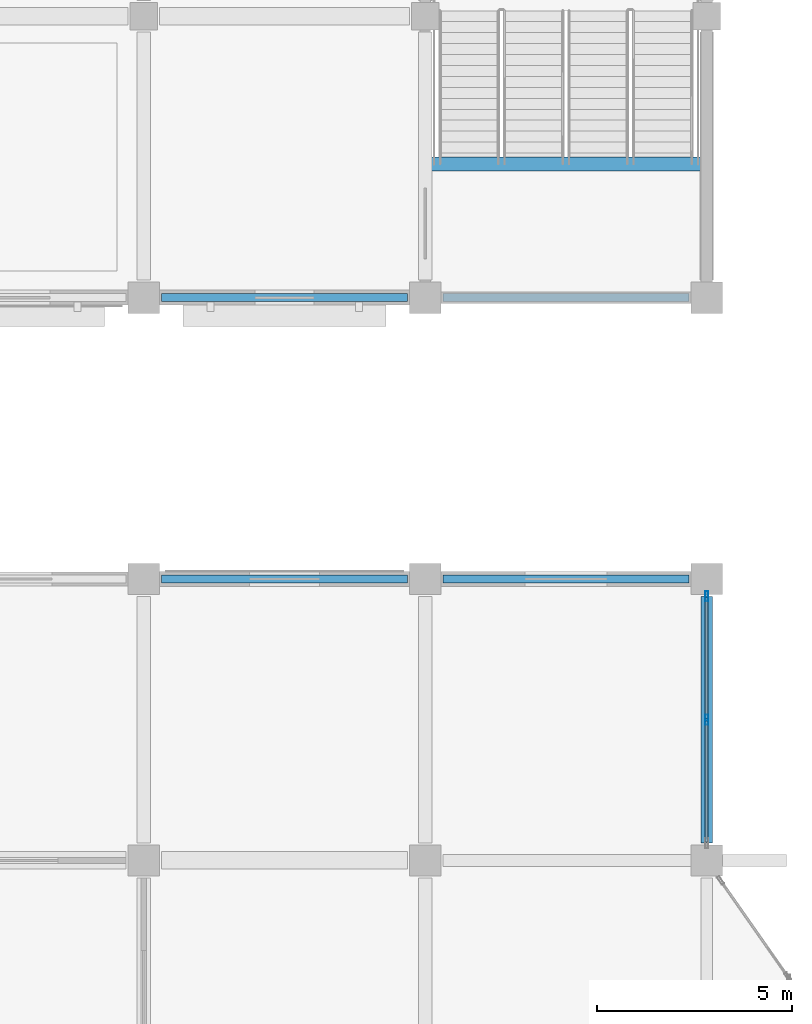
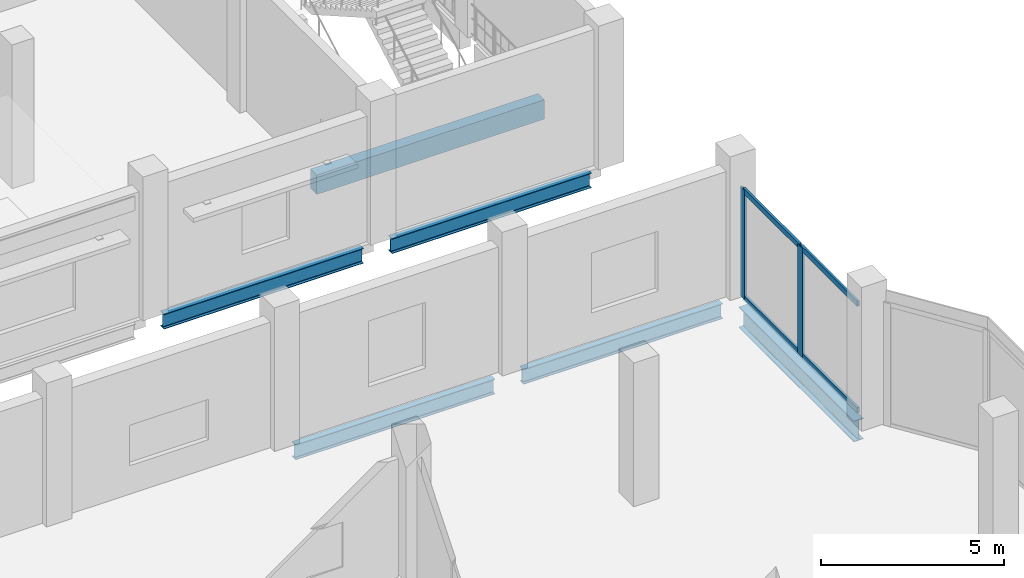
# One storey, part 50 of 99: 6 beams, 6 members, 1 element without a shape of its own.
"""IFC4 building model written with IfcOpenShell, lengths in metres."""

from ifc_helpers import new_model, si_unit, direction, frame, origin, origin_2d, place, context, subcontext, project, spatial, rectangle, hollow_rectangle, i_section, extrude, material, material_profile, profile_set, type_object, element, aggregate, save


model = new_model("IFC4")

# Units and contexts
model_context = context("Model", 3, precision=1e-05, world=origin(), true_north=direction((0.0, 1.0)))
body_context = subcontext(model_context, "Body", "Model", "MODEL_VIEW")
ifc_project = project(units=[si_unit("LENGTHUNIT", "METRE"), si_unit("AREAUNIT", "SQUARE_METRE"), si_unit("VOLUMEUNIT", "CUBIC_METRE"), si_unit("PLANEANGLEUNIT", "RADIAN"), si_unit("MASSUNIT", "GRAM", prefix="KILO")], contexts=[model_context])

# Site, building, storey
site_placement = place(None, origin())
site = spatial("IfcSite", under=ifc_project, at=site_placement, CompositionType="ELEMENT")
building_placement = place(site_placement, origin())
building = spatial("IfcBuilding", under=site, at=building_placement, Name="Vesperath Aquatics Centre", CompositionType="ELEMENT")
storey_placement = place(building_placement, frame((0.0, 0.0, 5.39990234375)))
storey = spatial("IfcBuildingStorey", under=building, at=storey_placement, Name="L01", CompositionType="ELEMENT", Elevation=5.39990234375)

# Beams
ifc_material_1 = material(Name="Concrete C35", Category="concrete")
ifc_material_profile_1 = material_profile(ifc_material_1, rectangle(XDim=0.35009765625, YDim=0.64990234375, at=origin_2d()), Name="RC 350x650")
ifc_profile_set_1 = profile_set([ifc_material_profile_1], Name="Concrete C35")
beam_type_1 = type_object("IfcBeamType", Name="BM-G05", PredefinedType="BEAM", material=ifc_profile_set_1)
beam_1_placement = place(storey_placement, frame((165.60009765625, 53.820068359375, -0.324951171875), z_axis=(1.0, 0.0, 0.0), x_axis=(0.0, 1.0, 0.0)))
element("IfcBeam", 1, at=beam_1_placement, inside=storey, type_object=beam_type_1, Name="Stair ST12 Landing Trimmer Beam B05 L01", PredefinedType="BEAM", context=body_context, shape_type="SweptSolid", body=[
    extrude(rectangle(XDim=0.35009765625, YDim=0.64990234375, at=origin_2d()), origin(), (0.0, 0.0, 1.0), 7.199951171875),
])
ifc_material_2 = material(Name="Steel Q355C", Category="steel")
ifc_material_profile_2 = material_profile(ifc_material_2, i_section(OverallWidth=0.300048828125, OverallDepth=0.699951171875, WebThickness=0.012939453125, FlangeThickness=0.02392578125, FilletRadius=0.028076171875, at=origin_2d()), Name="HN 700x300x13x24")
ifc_profile_set_2 = profile_set([ifc_material_profile_2], Name="Steel Q355C")
beam_type_2 = type_object("IfcBeamType", Name="BM-G08", PredefinedType="BEAM", material=ifc_profile_set_2)
beam_2_placement = place(storey_placement, frame((172.800048828125, 36.449951171875, -0.60986328125), z_axis=(0.0, 1.0, 0.0), x_axis=(-1.0, 0.0, 0.0)))
element("IfcBeam", 2, at=beam_2_placement, inside=storey, type_object=beam_type_2, Name="Floor Girder B08 L01 25 F-G", PredefinedType="BEAM", context=body_context, shape_type="SweptSolid", body=[
    extrude(i_section(OverallWidth=0.300048828125, OverallDepth=0.699951171875, WebThickness=0.012939453125, FlangeThickness=0.02392578125, FilletRadius=0.028076171875, at=origin_2d()), origin(), (0.0, 0.0, 1.0), 6.300048828125),
])
ifc_material_3 = material(Name="Steel Q355D", Category="steel")
ifc_material_profile_3 = material_profile(ifc_material_3, i_section(OverallWidth=0.199951171875, OverallDepth=0.5, WebThickness=0.010009765625, FlangeThickness=0.01611328125, FilletRadius=0.02001953125, at=origin_2d()), Name="HN 500x200x10x16")
ifc_profile_set_3 = profile_set([ifc_material_profile_3], Name="Steel Q355D")
beam_type_3 = type_object("IfcBeamType", Name="BM-SP01", PredefinedType="SPANDREL", material=ifc_profile_set_3)
for number, where, z_axis, x_axis, name in (
    (3, (158.85009765625, 43.199951171875, -0.510009765625), (1.0, 0.0, 0.0), (0.0, 1.0, 0.0), "Floor Girder SP01 L01 G 23-24"),
    (4, (158.85009765625, 50.39990234375, -0.510009765625), (1.0, 0.0, 0.0), (0.0, 1.0, 0.0), "Floor Girder SP01 L01 H 23-24"),
):
    element("IfcBeam", number, at=place(storey_placement, frame(where, z_axis=z_axis, x_axis=x_axis)), inside=storey, type_object=beam_type_3, Name=name, PredefinedType="SPANDREL", context=body_context, shape_type="SweptSolid", body=[
        extrude(i_section(OverallWidth=0.199951171875, OverallDepth=0.5, WebThickness=0.010009765625, FlangeThickness=0.01611328125, FilletRadius=0.02001953125, at=origin_2d()), origin(), (0.0, 0.0, 1.0), 6.2998046875),
    ])
for number, where, z_axis, x_axis, name in (
    (5, (166.050048828125, 43.199951171875, -0.510009765625), (1.0, 0.0, 0.0), (0.0, 1.0, 0.0), "Floor Girder SP01 L01 G 24-25"),
    (6, (166.050048828125, 50.39990234375, -0.510009765625), (1.0, 0.0, 0.0), (0.0, 1.0, 0.0), "Floor Girder SP01 L01 H 24-25"),
):
    element("IfcBeam", number, at=place(storey_placement, frame(where, z_axis=z_axis, x_axis=x_axis)), inside=storey, type_object=beam_type_3, Name=name, PredefinedType="SPANDREL", context=body_context, shape_type="SweptSolid", body=[
        extrude(i_section(OverallWidth=0.199951171875, OverallDepth=0.5, WebThickness=0.010009765625, FlangeThickness=0.01611328125, FilletRadius=0.02001953125, at=origin_2d()), origin(), (0.0, 0.0, 1.0), 6.300048828125),
    ])

# Curtain wall, members
ifc_material_4 = material(Name="Thermally broken anodised bronze aluminium curtain wall", Category="aluminium")
curtain_wall_type = type_object("IfcCurtainWallType", Name="CW-02", PredefinedType="NOTDEFINED", material=ifc_material_4)
curtain_wall_placement = place(storey_placement, origin())
curtain_wall = element("IfcCurtainWall", 7, at=curtain_wall_placement, inside=storey, type_object=curtain_wall_type, Name="Facade Curtain Wall CW02 L01_E_24_05", PredefinedType="NOTDEFINED")
ifc_material_5 = material(Name="Thermally broken anodised aluminium", Category="aluminium")
ifc_material_profile_4 = material_profile(ifc_material_5, hollow_rectangle(XDim=0.074951171875, YDim=0.260009765625, WallThickness=0.006103515625, at=origin_2d()), Name="CWM 75x260x6")
ifc_profile_set_4 = profile_set([ifc_material_profile_4], Name="Thermally broken anodised aluminium")
member_type_1 = type_object("IfcMemberType", Name="MB-CWM1", PredefinedType="MULLION", material=ifc_profile_set_4)
member_1_placement = place(storey_placement, frame((172.800048828125, 39.60009765625, 0.0), z_axis=(0.0, 0.0, 1.0), x_axis=(-1.0, 0.0, 0.0)))
member_1 = element("IfcMember", 8, at=member_1_placement, type_object=member_type_1, Name="CW02 mullion 2", PredefinedType="MULLION", context=body_context, shape_type="SweptSolid", body=[
    extrude(hollow_rectangle(XDim=0.074951171875, YDim=0.260009765625, WallThickness=0.006103515625, at=origin_2d()), origin(), (0.0, 0.0, 1.0), 3.64013671875),
])
member_2_placement = place(storey_placement, frame((172.800048828125, 42.762451171875, 0.0), z_axis=(0.0, 0.0, 1.0), x_axis=(-1.0, 0.0, 0.0)))
member_2 = element("IfcMember", 9, at=member_2_placement, type_object=member_type_1, Name="CW02 mullion 3", PredefinedType="MULLION", context=body_context, shape_type="SweptSolid", body=[
    extrude(hollow_rectangle(XDim=0.074951171875, YDim=0.260009765625, WallThickness=0.006103515625, at=origin_2d()), origin(), (0.0, 0.0, 1.0), 3.64013671875),
])
ifc_material_profile_5 = material_profile(ifc_material_5, hollow_rectangle(XDim=0.074951171875, YDim=0.179931640625, WallThickness=0.0048828125, at=origin_2d()), Name="CWT 75x180x5")
ifc_profile_set_5 = profile_set([ifc_material_profile_5], Name="Thermally broken anodised aluminium")
member_type_2 = type_object("IfcMemberType", Name="MB-CWT1", PredefinedType="USERDEFINED", material=ifc_profile_set_5)
member_3_placement = place(storey_placement, frame((172.800048828125, 36.47509765625, 0.03759765625), z_axis=(0.0, 1.0, 0.0), x_axis=(-1.0, 0.0, 0.0)))
member_3 = element("IfcMember", 10, at=member_3_placement, type_object=member_type_2, Name="CW02 transom 1.1", ObjectType="TRANSOM", PredefinedType="USERDEFINED", context=body_context, shape_type="SweptSolid", body=[
    extrude(hollow_rectangle(XDim=0.074951171875, YDim=0.179931640625, WallThickness=0.0048828125, at=origin_2d()), origin(), (0.0, 0.0, 1.0), 3.08740234375),
])
member_4_placement = place(storey_placement, frame((172.800048828125, 36.47509765625, 3.6025390625), z_axis=(0.0, 1.0, 0.0), x_axis=(-1.0, 0.0, 0.0)))
member_4 = element("IfcMember", 11, at=member_4_placement, type_object=member_type_2, Name="CW02 transom 1.2", ObjectType="TRANSOM", PredefinedType="USERDEFINED", context=body_context, shape_type="SweptSolid", body=[
    extrude(hollow_rectangle(XDim=0.074951171875, YDim=0.179931640625, WallThickness=0.0048828125, at=origin_2d()), origin(), (0.0, 0.0, 1.0), 3.08740234375),
])
member_5_placement = place(storey_placement, frame((172.800048828125, 39.637451171875, 0.03759765625), z_axis=(0.0, 1.0, 0.0), x_axis=(-1.0, 0.0, 0.0)))
member_5 = element("IfcMember", 12, at=member_5_placement, type_object=member_type_2, Name="CW02 transom 2.1", ObjectType="TRANSOM", PredefinedType="USERDEFINED", context=body_context, shape_type="SweptSolid", body=[
    extrude(hollow_rectangle(XDim=0.074951171875, YDim=0.179931640625, WallThickness=0.0048828125, at=origin_2d()), origin(), (0.0, 0.0, 1.0), 3.087646484375),
])
member_6_placement = place(storey_placement, frame((172.800048828125, 39.637451171875, 3.6025390625), z_axis=(0.0, 1.0, 0.0), x_axis=(-1.0, 0.0, 0.0)))
member_6 = element("IfcMember", 13, at=member_6_placement, type_object=member_type_2, Name="CW02 transom 2.2", ObjectType="TRANSOM", PredefinedType="USERDEFINED", context=body_context, shape_type="SweptSolid", body=[
    extrude(hollow_rectangle(XDim=0.074951171875, YDim=0.179931640625, WallThickness=0.0048828125, at=origin_2d()), origin(), (0.0, 0.0, 1.0), 3.087646484375),
])
aggregate(curtain_wall, [member_1, member_2, member_3, member_4, member_5, member_6])

save(model, "model.ifc")
